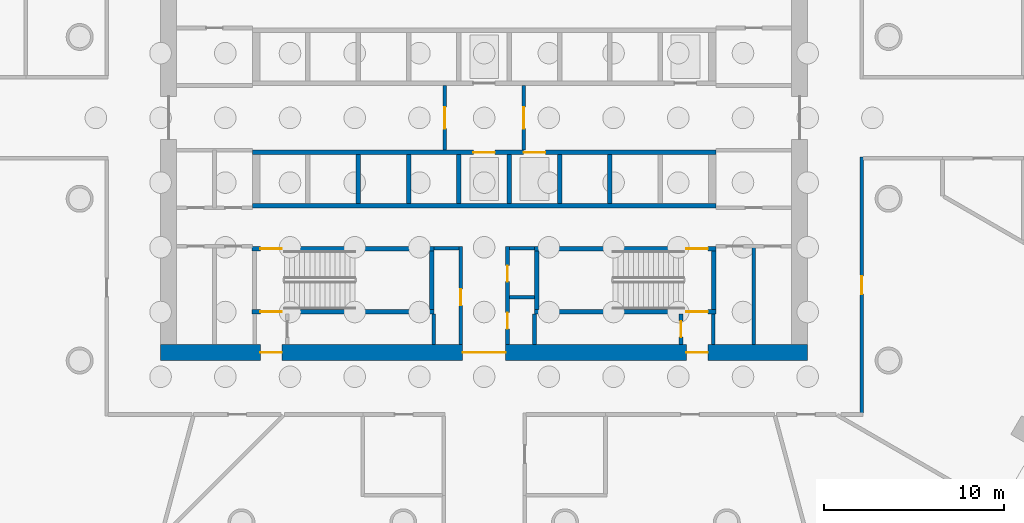
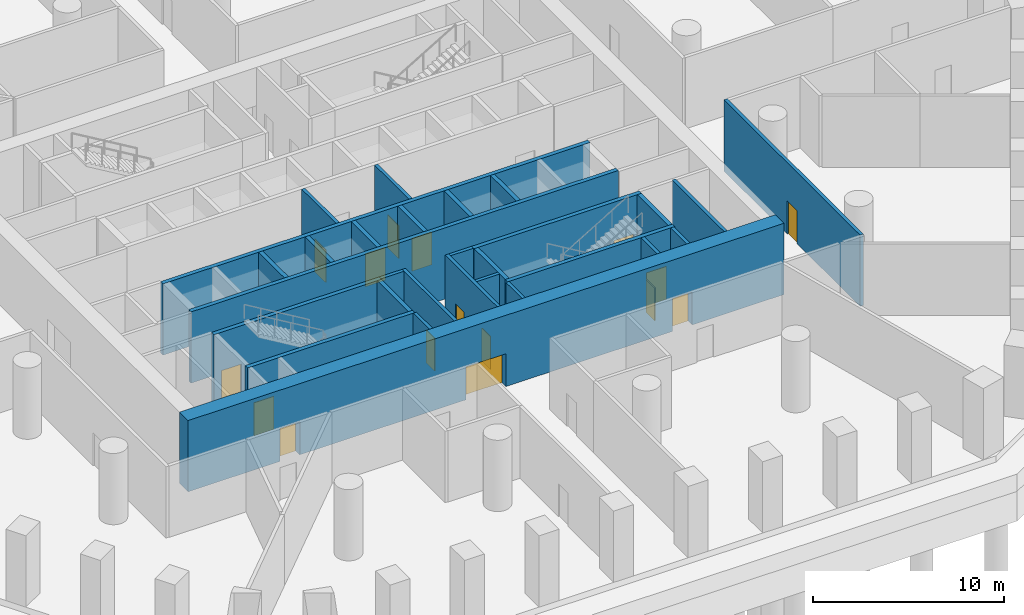
# One storey, part 4 of 9: 29 walls, 16 doors, 16 openings.
"""IFC4 building model written with IfcOpenShell, lengths in metres."""

from ifc_helpers import new_model, si_unit, direction, frame, frame_2d, origin, place, context, subcontext, project, spatial, polyline, rectangle, outline, extrude, material, layer, layer_set, type_object, element, fill, save


model = new_model("IFC4")

# Units and contexts
model_context = context("Model", 3, precision=1e-05, world=origin(), true_north=direction((0.0, 1.0)))
body_context = subcontext(model_context, "Body", "Model", "MODEL_VIEW")
ifc_project = project(units=[si_unit("LENGTHUNIT", "METRE"), si_unit("AREAUNIT", "SQUARE_METRE"), si_unit("VOLUMEUNIT", "CUBIC_METRE"), si_unit("PLANEANGLEUNIT", "RADIAN"), si_unit("MASSUNIT", "GRAM", prefix="KILO")], contexts=[model_context])

# Site, building, storey
site_placement = place(None, origin())
site = spatial("IfcSite", under=ifc_project, at=site_placement, CompositionType="ELEMENT")
building_placement = place(site_placement, origin())
building = spatial("IfcBuilding", under=site, at=building_placement, Name="Dhurran Vertical Campus", CompositionType="ELEMENT")
storey_placement = place(building_placement, frame((0.0, 0.0, -5.0)))
storey = spatial("IfcBuildingStorey", under=building, at=storey_placement, Name="B1", CompositionType="ELEMENT", Elevation=-5.0)

# Wall, opening, door
ifc_material_1 = material(Name="Concrete blockwork plant room wall, fire-rated", Category="masonry")
ifc_layer_1 = layer(ifc_material_1, 0.199951171875)
ifc_layer_set_1 = layer_set([ifc_layer_1], Name="Concrete blockwork plant room wall, fire-rated")
wall_type_1 = type_object("IfcWallType", Name="bs-PW-200 plant room wall", PredefinedType="PARTITIONING", material=ifc_layer_set_1)
wall_1_placement = place(storey_placement, frame((21.0, -16.425048828125, 0.0), z_axis=(0.0, 0.0, 1.0), x_axis=(0.0, 1.0, 0.0)))
wall_1 = element("IfcWall", 1, at=wall_1_placement, inside=storey, type_object=wall_type_1, Name="Plant wall B1-43", PredefinedType="PARTITIONING", context=body_context, shape_type="SweptSolid", body=[
    extrude(rectangle(XDim=14.25, YDim=0.199951171875, at=frame_2d((7.125, 0.0))), origin(), (0.0, 0.0, 1.0), 4.550048828125),
])
opening_1_placement = place(wall_1_placement, frame((6.625, 0.0, 0.0)))
opening_1 = element("IfcOpeningElement", 2, at=opening_1_placement, cuts=wall_1, Name="Opening BS.16", PredefinedType="OPENING", context=body_context, shape_type="SweptSolid", body=[
    extrude(rectangle(XDim=1.0, YDim=2.10009765625, at=frame_2d((0.5, 1.050048828125))), frame((0.0, 0.10986328125, 0.0), z_axis=(0.0, -1.0, 0.0), x_axis=(1.0, 0.0, 0.0)), (0.0, 0.0, 1.0), 0.219970703125),
])
ifc_material_2 = material(Name="Solid-core timber door set, fire-rated", Category="wood")
door_type_1 = type_object("IfcDoorType", Name="fl-D-1000x2100", OperationType="SINGLE_SWING_LEFT", PredefinedType="DOOR", material=ifc_material_2)
door_1_placement = place(opening_1_placement, origin())
door_1 = element("IfcDoor", 3, at=door_1_placement, inside=storey, type_object=door_type_1, Name="Door B1.16", OperationType="SINGLE_SWING_RIGHT", OverallHeight=2.10009765625, OverallWidth=1.0, PredefinedType="DOOR", context=body_context, shape_type="SweptSolid", body=[
    extrude(rectangle(XDim=1.0, YDim=2.10009765625, at=frame_2d((0.5, 1.050048828125))), frame((0.0, 0.02490234375, 0.0), z_axis=(0.0, -1.0, 0.0), x_axis=(1.0, 0.0, 0.0)), (0.0, 0.0, 1.0), 0.050048828125),
])
fill(opening_1, door_1)

# Wall, openings, doors
ifc_material_3 = material(Name="Concrete C60/75", Category="concrete")
ifc_layer_2 = layer(ifc_material_3, 0.89990234375)
ifc_layer_set_2 = layer_set([ifc_layer_2], Name="Concrete C60/75")
wall_type_2 = type_object("IfcWallType", Name="co-CORE-WALL-C0-900", PredefinedType="SHEAR", material=ifc_layer_set_2)
wall_2_placement = place(storey_placement, frame((-18.0, -13.050048828125, 0.0), z_axis=(0.0, 0.0, 1.0), x_axis=(1.0, 0.0, 0.0)))
wall_2 = element("IfcWall", 4, at=wall_2_placement, inside=storey, type_object=wall_type_2, Name="Core wall S B1", PredefinedType="SHEAR", context=body_context, shape_type="SweptSolid", body=[
    extrude(rectangle(XDim=36.0, YDim=0.89990234375, at=frame_2d((18.0, 0.0))), origin(), (0.0, 0.0, 1.0), 4.550048828125),
])
opening_2_placement = place(wall_2_placement, frame((16.800048828125, 0.0, 0.0)))
opening_2 = element("IfcOpeningElement", 5, at=opening_2_placement, cuts=wall_2, Name="Opening CV2", PredefinedType="OPENING", context=body_context, shape_type="SweptSolid", body=[
    extrude(rectangle(XDim=2.39990234375, YDim=2.10009765625, at=frame_2d((1.199951171875, 1.050048828125))), frame((0.0, 0.4599609375, 0.0), z_axis=(0.0, -1.0, 0.0), x_axis=(1.0, 0.0, 0.0)), (0.0, 0.0, 1.0), 0.919921875),
])
opening_3_placement = place(wall_2_placement, frame((5.550048828125, 0.0, 0.0)))
opening_3 = element("IfcOpeningElement", 6, at=opening_3_placement, cuts=wall_2, Name="Opening XD3", PredefinedType="OPENING", context=body_context, shape_type="SweptSolid", body=[
    extrude(rectangle(XDim=1.199951171875, YDim=2.10009765625, at=frame_2d((0.60009765625, 1.050048828125))), frame((0.0, 0.4599609375, 0.0), z_axis=(0.0, -1.0, 0.0), x_axis=(1.0, 0.0, 0.0)), (0.0, 0.0, 1.0), 0.919921875),
])
opening_4_placement = place(wall_2_placement, frame((29.25, 0.0, 0.0)))
opening_4 = element("IfcOpeningElement", 7, at=opening_4_placement, cuts=wall_2, Name="Opening XD4", PredefinedType="OPENING", context=body_context, shape_type="SweptSolid", body=[
    extrude(rectangle(XDim=1.199951171875, YDim=2.10009765625, at=frame_2d((0.60009765625, 1.050048828125))), frame((0.0, 0.4599609375, 0.0), z_axis=(0.0, -1.0, 0.0), x_axis=(1.0, 0.0, 0.0)), (0.0, 0.0, 1.0), 0.919921875),
])
ifc_material_4 = material(Name="Fire-rated glazed door set")
door_type_2 = type_object("IfcDoorType", Name="co-D-LOBBY 2400x2100", OperationType="DOUBLE_DOOR_DOUBLE_SWING", PredefinedType="DOOR", material=ifc_material_4)
door_2_placement = place(opening_2_placement, origin())
door_2 = element("IfcDoor", 8, at=door_2_placement, inside=storey, type_object=door_type_2, Name="Core vestibule door S B1", OperationType="DOUBLE_DOOR_DOUBLE_SWING", OverallHeight=2.10009765625, OverallWidth=2.39990234375, PredefinedType="DOOR", context=body_context, shape_type="SweptSolid", body=[
    extrude(rectangle(XDim=2.39990234375, YDim=2.10009765625, at=frame_2d((1.199951171875, 1.050048828125))), frame((0.0, 0.02490234375, 0.0), z_axis=(0.0, -1.0, 0.0), x_axis=(1.0, 0.0, 0.0)), (0.0, 0.0, 1.0), 0.050048828125),
])
fill(opening_2, door_2)
ifc_material_5 = material(Name="Fire-rated steel door set", Category="steel")
door_type_3 = type_object("IfcDoorType", Name="co-D-STAIR-EXIT 1200x2100", OperationType="SINGLE_SWING_RIGHT", PredefinedType="DOOR", material=ifc_material_5)
door_3_placement = place(opening_3_placement, origin())
door_3 = element("IfcDoor", 9, at=door_3_placement, inside=storey, type_object=door_type_3, Name="Stair ST3 exit door B1", OperationType="SINGLE_SWING_RIGHT", OverallHeight=2.10009765625, OverallWidth=1.199951171875, PredefinedType="DOOR", context=body_context, shape_type="SweptSolid", body=[
    extrude(rectangle(XDim=1.199951171875, YDim=2.10009765625, at=frame_2d((0.60009765625, 1.050048828125))), frame((0.0, 0.02490234375, 0.0), z_axis=(0.0, -1.0, 0.0), x_axis=(1.0, 0.0, 0.0)), (0.0, 0.0, 1.0), 0.050048828125),
])
fill(opening_3, door_3)
door_4_placement = place(opening_4_placement, origin())
door_4 = element("IfcDoor", 10, at=door_4_placement, inside=storey, type_object=door_type_3, Name="Stair ST4 exit door B1", OperationType="SINGLE_SWING_RIGHT", OverallHeight=2.10009765625, OverallWidth=1.199951171875, PredefinedType="DOOR", context=body_context, shape_type="SweptSolid", body=[
    extrude(rectangle(XDim=1.199951171875, YDim=2.10009765625, at=frame_2d((0.60009765625, 1.050048828125))), frame((0.0, 0.02490234375, 0.0), z_axis=(0.0, -1.0, 0.0), x_axis=(1.0, 0.0, 0.0)), (0.0, 0.0, 1.0), 0.050048828125),
])
fill(opening_4, door_4)

# Wall, opening, door
ifc_material_6 = material(Name="Fire-rated masonry blockwork", Category="masonry")
ifc_layer_3 = layer(ifc_material_6, 0.199951171875)
ifc_layer_set_3 = layer_set([ifc_layer_3], Name="Fire-rated masonry blockwork")
wall_type_3 = type_object("IfcWallType", Name="co-FIRE-PARTITION-200", PredefinedType="PARTITIONING", material=ifc_layer_set_3)
wall_3_placement = place(storey_placement, frame((-2.199951171875, -1.800048828125, 0.0), z_axis=(0.0, 0.0, 1.0), x_axis=(0.0, 1.0, 0.0)))
wall_3 = element("IfcWall", 11, at=wall_3_placement, inside=storey, type_object=wall_type_3, Name="Firefighting lobby wall W B1", PredefinedType="PARTITIONING", context=body_context, shape_type="SweptSolid", body=[
    extrude(rectangle(XDim=3.60009765625, YDim=0.199951171875, at=frame_2d((1.800048828125, 0.0))), origin(), (0.0, 0.0, 1.0), 4.550048828125),
])
opening_5_placement = place(wall_3_placement, frame((1.199951171875, 0.0, 0.0)))
opening_5 = element("IfcOpeningElement", 12, at=opening_5_placement, cuts=wall_3, Name="Opening FL1", PredefinedType="OPENING", context=body_context, shape_type="SweptSolid", body=[
    extrude(rectangle(XDim=1.199951171875, YDim=2.10009765625, at=frame_2d((0.60009765625, 1.050048828125))), frame((0.0, 0.10986328125, 0.0), z_axis=(0.0, -1.0, 0.0), x_axis=(1.0, 0.0, 0.0)), (0.0, 0.0, 1.0), 0.219970703125),
])
ifc_material_7 = material(Name="Fire-rated steel door set", Category="steel")
door_type_4 = type_object("IfcDoorType", Name="co-D-FFLOBBY 1200x2100", OperationType="SINGLE_SWING_LEFT", PredefinedType="DOOR", material=ifc_material_7)
door_5_placement = place(opening_5_placement, origin())
door_5 = element("IfcDoor", 13, at=door_5_placement, inside=storey, type_object=door_type_4, Name="Firefighting lobby door W B1", OperationType="SINGLE_SWING_LEFT", OverallHeight=2.10009765625, OverallWidth=1.199951171875, PredefinedType="DOOR", context=body_context, shape_type="SweptSolid", body=[
    extrude(rectangle(XDim=1.199951171875, YDim=2.10009765625, at=frame_2d((0.60009765625, 1.050048828125))), frame((0.0, 0.02490234375, 0.0), z_axis=(0.0, -1.0, 0.0), x_axis=(1.0, 0.0, 0.0)), (0.0, 0.0, 1.0), 0.050048828125),
])
fill(opening_5, door_5)

wall_4_placement = place(storey_placement, frame((2.199951171875, -1.800048828125, 0.0), z_axis=(0.0, 0.0, 1.0), x_axis=(0.0, 1.0, 0.0)))
wall_4 = element("IfcWall", 14, at=wall_4_placement, inside=storey, type_object=wall_type_3, Name="Firefighting lobby wall E B1", PredefinedType="PARTITIONING", context=body_context, shape_type="SweptSolid", body=[
    extrude(rectangle(XDim=3.60009765625, YDim=0.199951171875, at=frame_2d((1.800048828125, 0.0))), origin(), (0.0, 0.0, 1.0), 4.550048828125),
])
opening_6_placement = place(wall_4_placement, frame((1.199951171875, 0.0, 0.0)))
opening_6 = element("IfcOpeningElement", 15, at=opening_6_placement, cuts=wall_4, Name="Opening FL2", PredefinedType="OPENING", context=body_context, shape_type="SweptSolid", body=[
    extrude(rectangle(XDim=1.199951171875, YDim=2.10009765625, at=frame_2d((0.60009765625, 1.050048828125))), frame((0.0, 0.10986328125, 0.0), z_axis=(0.0, -1.0, 0.0), x_axis=(1.0, 0.0, 0.0)), (0.0, 0.0, 1.0), 0.219970703125),
])
door_6_placement = place(opening_6_placement, origin())
door_6 = element("IfcDoor", 16, at=door_6_placement, inside=storey, type_object=door_type_4, Name="Firefighting lobby door E B1", OperationType="SINGLE_SWING_LEFT", OverallHeight=2.10009765625, OverallWidth=1.199951171875, PredefinedType="DOOR", context=body_context, shape_type="SweptSolid", body=[
    extrude(rectangle(XDim=1.199951171875, YDim=2.10009765625, at=frame_2d((0.60009765625, 1.050048828125))), frame((0.0, 0.02490234375, 0.0), z_axis=(0.0, -1.0, 0.0), x_axis=(1.0, 0.0, 0.0)), (0.0, 0.0, 1.0), 0.050048828125),
])
fill(opening_6, door_6)

# Walls
for number, where, z_axis, x_axis, name in (
    (17, (-2.800048828125, -7.25, 0.0), (0.0, 0.0, 1.0), (1.0, 0.0, 0.0), "Core partition sl-SW-S B1"),
    (18, (1.39990234375, -7.25, 0.0), (0.0, 0.0, 1.0), (1.0, 0.0, 0.0), "Core partition sl-SE-S B1"),
    (19, (1.39990234375, -9.97509765625, 0.0), (0.0, 0.0, 1.0), (1.0, 0.0, 0.0), "Core partition sl-SE-cut0 B1"),
):
    element("IfcWall", number, at=place(storey_placement, frame(where, z_axis=z_axis, x_axis=x_axis)), inside=storey, type_object=wall_type_3, Name=name, PredefinedType="PARTITIONING", context=body_context, shape_type="SweptSolid", body=[
        extrude(rectangle(XDim=1.400146484375, YDim=0.199951171875, at=frame_2d((0.7001953125, 0.0))), origin(), (0.0, 0.0, 1.0), 4.550048828125),
    ])

# Wall, opening, door
wall_5_placement = place(storey_placement, frame((-1.300048828125, -12.60009765625, 0.0), z_axis=(0.0, 0.0, 1.0), x_axis=(0.0, 1.0, 0.0)))
wall_5 = element("IfcWall", 20, at=wall_5_placement, inside=storey, type_object=wall_type_3, Name="Core partition vest-SW B1", PredefinedType="PARTITIONING", context=body_context, shape_type="SweptSolid", body=[
    extrude(rectangle(XDim=5.4501953125, YDim=0.199951171875, at=frame_2d((2.72509765625, 0.0))), origin(), (0.0, 0.0, 1.0), 4.550048828125),
])
opening_7_placement = place(wall_5_placement, frame((2.175048828125, 0.0, 0.0)))
opening_7 = element("IfcOpeningElement", 21, at=opening_7_placement, cuts=wall_5, Name="Opening BSMT-C1", PredefinedType="OPENING", context=body_context, shape_type="SweptSolid", body=[
    extrude(rectangle(XDim=0.89990234375, YDim=2.10009765625, at=frame_2d((0.449951171875, 1.050048828125))), frame((0.0, 0.10986328125, 0.0), z_axis=(0.0, -1.0, 0.0), x_axis=(1.0, 0.0, 0.0)), (0.0, 0.0, 1.0), 0.219970703125),
])
ifc_material_8 = material(Name="Fire-rated timber door set", Category="wood")
door_type_5 = type_object("IfcDoorType", Name="co-D-ROOM 900x2100", OperationType="SINGLE_SWING_LEFT", PredefinedType="DOOR", material=ifc_material_8)
door_7_placement = place(opening_7_placement, origin())
door_7 = element("IfcDoor", 22, at=door_7_placement, inside=storey, type_object=door_type_5, Name="Communications room door B1", OperationType="SINGLE_SWING_LEFT", OverallHeight=2.10009765625, OverallWidth=0.89990234375, PredefinedType="DOOR", context=body_context, shape_type="SweptSolid", body=[
    extrude(rectangle(XDim=0.89990234375, YDim=2.10009765625, at=frame_2d((0.449951171875, 1.050048828125))), frame((0.0, 0.02490234375, 0.0), z_axis=(0.0, -1.0, 0.0), x_axis=(1.0, 0.0, 0.0)), (0.0, 0.0, 1.0), 0.050048828125),
])
fill(opening_7, door_7)

# Wall, openings, doors
wall_6_placement = place(storey_placement, frame((1.300048828125, -12.60009765625, 0.0), z_axis=(0.0, 0.0, 1.0), x_axis=(0.0, 1.0, 0.0)))
wall_6 = element("IfcWall", 23, at=wall_6_placement, inside=storey, type_object=wall_type_3, Name="Core partition vest-SE B1", PredefinedType="PARTITIONING", context=body_context, shape_type="SweptSolid", body=[
    extrude(rectangle(XDim=5.4501953125, YDim=0.199951171875, at=frame_2d((2.72509765625, 0.0))), origin(), (0.0, 0.0, 1.0), 4.550048828125),
])
opening_8_placement = place(wall_6_placement, frame((0.862548828125, 0.0, 0.0)))
opening_8 = element("IfcOpeningElement", 24, at=opening_8_placement, cuts=wall_6, Name="Opening BSMT-C2", PredefinedType="OPENING", context=body_context, shape_type="SweptSolid", body=[
    extrude(rectangle(XDim=0.89990234375, YDim=2.10009765625, at=frame_2d((0.449951171875, 1.050048828125))), frame((0.0, 0.10986328125, 0.0), z_axis=(0.0, -1.0, 0.0), x_axis=(1.0, 0.0, 0.0)), (0.0, 0.0, 1.0), 0.219970703125),
])
opening_9_placement = place(wall_6_placement, frame((3.487548828125, 0.0, 0.0)))
opening_9 = element("IfcOpeningElement", 25, at=opening_9_placement, cuts=wall_6, Name="Opening BSMT-C3", PredefinedType="OPENING", context=body_context, shape_type="SweptSolid", body=[
    extrude(rectangle(XDim=0.89990234375, YDim=2.10009765625, at=frame_2d((0.449951171875, 1.050048828125))), frame((0.0, 0.10986328125, 0.0), z_axis=(0.0, -1.0, 0.0), x_axis=(1.0, 0.0, 0.0)), (0.0, 0.0, 1.0), 0.219970703125),
])
door_8_placement = place(opening_8_placement, origin())
door_8 = element("IfcDoor", 26, at=door_8_placement, inside=storey, type_object=door_type_5, Name="Water riser door B1", OperationType="SINGLE_SWING_LEFT", OverallHeight=2.10009765625, OverallWidth=0.89990234375, PredefinedType="DOOR", context=body_context, shape_type="SweptSolid", body=[
    extrude(rectangle(XDim=0.89990234375, YDim=2.10009765625, at=frame_2d((0.449951171875, 1.050048828125))), frame((0.0, 0.02490234375, 0.0), z_axis=(0.0, -1.0, 0.0), x_axis=(1.0, 0.0, 0.0)), (0.0, 0.0, 1.0), 0.050048828125),
])
fill(opening_8, door_8)
door_9_placement = place(opening_9_placement, origin())
door_9 = element("IfcDoor", 27, at=door_9_placement, inside=storey, type_object=door_type_5, Name="Plant room door B1", OperationType="SINGLE_SWING_LEFT", OverallHeight=2.10009765625, OverallWidth=0.89990234375, PredefinedType="DOOR", context=body_context, shape_type="SweptSolid", body=[
    extrude(rectangle(XDim=0.89990234375, YDim=2.10009765625, at=frame_2d((0.449951171875, 1.050048828125))), frame((0.0, 0.02490234375, 0.0), z_axis=(0.0, -1.0, 0.0), x_axis=(1.0, 0.0, 0.0)), (0.0, 0.0, 1.0), 0.050048828125),
])
fill(opening_9, door_9)

# Wall
wall_7_placement = place(storey_placement, frame((12.75, -12.60009765625, 0.0), z_axis=(0.0, 0.0, 1.0), x_axis=(0.0, 1.0, 0.0)))
element("IfcWall", 28, at=wall_7_placement, inside=storey, type_object=wall_type_3, Name="Core partition pass-ST4-o B1", PredefinedType="PARTITIONING", context=body_context, shape_type="SweptSolid", body=[
    extrude(rectangle(XDim=1.7001953125, YDim=0.199951171875, at=frame_2d((0.85009765625, 0.0))), origin(), (0.0, 0.0, 1.0), 4.550048828125),
])

# Wall, opening, door
wall_8_placement = place(storey_placement, frame((10.949951171875, -12.60009765625, 0.0), z_axis=(0.0, 0.0, 1.0), x_axis=(0.0, 1.0, 0.0)))
wall_8 = element("IfcWall", 29, at=wall_8_placement, inside=storey, type_object=wall_type_3, Name="Core partition pass-ST4-i B1", PredefinedType="PARTITIONING", context=body_context, shape_type="SweptSolid", body=[
    extrude(rectangle(XDim=1.7001953125, YDim=0.199951171875, at=frame_2d((0.85009765625, 0.0))), origin(), (0.0, 0.0, 1.0), 4.550048828125),
])
opening_10_placement = place(wall_8_placement, frame((0.39990234375, 0.0, 0.0)))
opening_10 = element("IfcOpeningElement", 30, at=opening_10_placement, cuts=wall_8, Name="Opening BSMT-C10", PredefinedType="OPENING", context=body_context, shape_type="SweptSolid", body=[
    extrude(rectangle(XDim=0.89990234375, YDim=2.10009765625, at=frame_2d((0.449951171875, 1.050048828125))), frame((0.0, 0.10986328125, 0.0), z_axis=(0.0, -1.0, 0.0), x_axis=(1.0, 0.0, 0.0)), (0.0, 0.0, 1.0), 0.219970703125),
])
door_10_placement = place(opening_10_placement, origin())
door_10 = element("IfcDoor", 31, at=door_10_placement, inside=storey, type_object=door_type_5, Name="Riser room door B1", OperationType="SINGLE_SWING_LEFT", OverallHeight=2.10009765625, OverallWidth=0.89990234375, PredefinedType="DOOR", context=body_context, shape_type="SweptSolid", body=[
    extrude(rectangle(XDim=0.89990234375, YDim=2.10009765625, at=frame_2d((0.449951171875, 1.050048828125))), frame((0.0, 0.02490234375, 0.0), z_axis=(0.0, -1.0, 0.0), x_axis=(1.0, 0.0, 0.0)), (0.0, 0.0, 1.0), 0.050048828125),
])
fill(opening_10, door_10)

# Walls
wall_9_placement = place(storey_placement, frame((15.0, -12.60009765625, 0.0), z_axis=(0.0, 0.0, 1.0), x_axis=(0.0, 1.0, 0.0)))
element("IfcWall", 32, at=wall_9_placement, inside=storey, type_object=wall_type_3, Name="Core partition en-SE-cut0 B1", PredefinedType="PARTITIONING", context=body_context, shape_type="SweptSolid", body=[
    extrude(rectangle(XDim=5.4501953125, YDim=0.199951171875, at=frame_2d((2.72509765625, 0.0))), origin(), (0.0, 0.0, 1.0), 4.550048828125),
])
for number, where, z_axis, x_axis, name in (
    (33, (-2.800048828125, -12.59912109375, 0.0), (0.0, 0.0, 1.0), (0.0, 1.0, 0.0), "Riser enclosure wall B1"),
    (34, (2.800048828125, -12.59912109375, 0.0), (0.0, 0.0, 1.0), (0.0, 1.0, 0.0), "Riser enclosure wall B1"),
):
    element("IfcWall", number, at=place(storey_placement, frame(where, z_axis=z_axis, x_axis=x_axis)), inside=storey, type_object=wall_type_3, Name=name, PredefinedType="PARTITIONING", context=body_context, shape_type="SweptSolid", body=[
        extrude(rectangle(XDim=1.6982421875, YDim=0.199951171875, at=frame_2d((0.84912109375, 0.0))), origin(), (0.0, 0.0, 1.0), 4.550048828125),
    ])

# Wall, openings, doors
ifc_material_9 = material(Name="Concrete C50/60", Category="concrete")
ifc_layer_4 = layer(ifc_material_9, 0.25)
ifc_layer_set_4 = layer_set([ifc_layer_4], Name="Concrete C50/60")
wall_type_4 = type_object("IfcWallType", Name="co-SHAFT-FRONT-250", PredefinedType="SHEAR", material=ifc_layer_set_4)
wall_10_placement = place(storey_placement, frame((-12.89990234375, -1.925048828125, 0.0), z_axis=(0.0, 0.0, 1.0), x_axis=(1.0, 0.0, 0.0)))
wall_10 = element("IfcWall", 35, at=wall_10_placement, inside=storey, type_object=wall_type_4, Name="Lift landing wall S B1", PredefinedType="SHEAR", context=body_context, shape_type="SweptSolid", body=[
    extrude(rectangle(XDim=25.7998046875, YDim=0.25, at=frame_2d((12.89990234375, 0.0))), origin(), (0.0, 0.0, 1.0), 4.550048828125),
])
opening_11_placement = place(wall_10_placement, frame((12.300048828125, 0.0, 0.0)))
opening_11 = element("IfcOpeningElement", 36, at=opening_11_placement, cuts=wall_10, Name="Opening LD", PredefinedType="OPENING", context=body_context, shape_type="SweptSolid", body=[
    extrude(rectangle(XDim=1.199951171875, YDim=2.10009765625, at=frame_2d((0.60009765625, 1.050048828125))), frame((0.0, 0.135009765625, 0.0), z_axis=(0.0, -1.0, 0.0), x_axis=(1.0, 0.0, 0.0)), (0.0, 0.0, 1.0), 0.27001953125),
])
opening_12_placement = place(wall_10_placement, frame((15.10009765625, 0.0, 0.0)))
opening_12 = element("IfcOpeningElement", 37, at=opening_12_placement, cuts=wall_10, Name="Opening LD", PredefinedType="OPENING", context=body_context, shape_type="SweptSolid", body=[
    extrude(rectangle(XDim=1.199951171875, YDim=2.10009765625, at=frame_2d((0.60009765625, 1.050048828125))), frame((0.0, 0.135009765625, 0.0), z_axis=(0.0, -1.0, 0.0), x_axis=(1.0, 0.0, 0.0)), (0.0, 0.0, 1.0), 0.27001953125),
])
ifc_material_10 = material(Name="Stainless steel landing door", Category="steel")
door_type_6 = type_object("IfcDoorType", Name="co-D-LANDING 1200x2100", OperationType="DOUBLE_DOOR_SLIDING", PredefinedType="DOOR", material=ifc_material_10)
door_11_placement = place(opening_11_placement, origin())
door_11 = element("IfcDoor", 38, at=door_11_placement, inside=storey, type_object=door_type_6, Name="Landing door FF2 B1", OperationType="DOUBLE_DOOR_SLIDING", OverallHeight=2.10009765625, OverallWidth=1.199951171875, PredefinedType="DOOR", context=body_context, shape_type="SweptSolid", body=[
    extrude(rectangle(XDim=1.199951171875, YDim=2.10009765625, at=frame_2d((0.60009765625, 1.050048828125))), frame((0.0, 0.02490234375, 0.0), z_axis=(0.0, -1.0, 0.0), x_axis=(1.0, 0.0, 0.0)), (0.0, 0.0, 1.0), 0.050048828125),
])
fill(opening_11, door_11)
door_12_placement = place(opening_12_placement, origin())
door_12 = element("IfcDoor", 39, at=door_12_placement, inside=storey, type_object=door_type_6, Name="Landing door SV1 B1", OperationType="DOUBLE_DOOR_SLIDING", OverallHeight=2.10009765625, OverallWidth=1.199951171875, PredefinedType="DOOR", context=body_context, shape_type="SweptSolid", body=[
    extrude(rectangle(XDim=1.199951171875, YDim=2.10009765625, at=frame_2d((0.60009765625, 1.050048828125))), frame((0.0, 0.02490234375, 0.0), z_axis=(0.0, -1.0, 0.0), x_axis=(1.0, 0.0, 0.0)), (0.0, 0.0, 1.0), 0.050048828125),
])
fill(opening_12, door_12)

# Walls
ifc_material_11 = material(Name="Concrete C50/60", Category="concrete")
ifc_layer_5 = layer(ifc_material_11, 0.25)
ifc_layer_set_5 = layer_set([ifc_layer_5], Name="Concrete C50/60")
wall_type_5 = type_object("IfcWallType", Name="co-SHAFT-MASS-250", PredefinedType="SHEAR", material=ifc_layer_set_5)
wall_11_placement = place(storey_placement, origin())
element("IfcWall", 40, at=wall_11_placement, inside=storey, type_object=wall_type_5, Name="Lift shaft wall S B1 1", PredefinedType="SHEAR", context=body_context, shape_type="SweptSolid", body=[
    extrude(outline(polyline([(-12.89990234375, -5.0), (12.89990234375, -5.0), (12.89990234375, -4.75), (-12.89990234375, -4.75), (-12.89990234375, -5.0)])), origin(), (0.0, 0.0, 1.0), 4.550048828125),
])
wall_12_placement = place(storey_placement, origin())
element("IfcWall", 41, at=wall_12_placement, inside=storey, type_object=wall_type_5, Name="Lift shaft wall S B1 4", PredefinedType="SHEAR", context=body_context, shape_type="SweptSolid", body=[
    extrude(outline(polyline([(-7.125, -4.75), (-6.875, -4.75), (-6.875, -2.050048828125), (-7.125, -2.050048828125), (-7.125, -4.75)])), origin(), (0.0, 0.0, 1.0), 4.550048828125),
])
wall_13_placement = place(storey_placement, origin())
element("IfcWall", 42, at=wall_13_placement, inside=storey, type_object=wall_type_5, Name="Lift shaft wall S B1 5", PredefinedType="SHEAR", context=body_context, shape_type="SweptSolid", body=[
    extrude(outline(polyline([(-4.324951171875, -4.75), (-4.074951171875, -4.75), (-4.074951171875, -2.050048828125), (-4.324951171875, -2.050048828125), (-4.324951171875, -4.75)])), origin(), (0.0, 0.0, 1.0), 4.550048828125),
])
wall_14_placement = place(storey_placement, origin())
element("IfcWall", 43, at=wall_14_placement, inside=storey, type_object=wall_type_5, Name="Lift shaft wall S B1 6", PredefinedType="SHEAR", context=body_context, shape_type="SweptSolid", body=[
    extrude(outline(polyline([(-1.52490234375, -4.75), (-1.27490234375, -4.75), (-1.27490234375, -2.050048828125), (-1.52490234375, -2.050048828125), (-1.52490234375, -4.75)])), origin(), (0.0, 0.0, 1.0), 4.550048828125),
])
wall_15_placement = place(storey_placement, origin())
element("IfcWall", 44, at=wall_15_placement, inside=storey, type_object=wall_type_5, Name="Lift shaft wall S B1 7", PredefinedType="SHEAR", context=body_context, shape_type="SweptSolid", body=[
    extrude(outline(polyline([(1.27490234375, -4.75), (1.52490234375, -4.75), (1.52490234375, -2.050048828125), (1.27490234375, -2.050048828125), (1.27490234375, -4.75)])), origin(), (0.0, 0.0, 1.0), 4.550048828125),
])
wall_16_placement = place(storey_placement, origin())
element("IfcWall", 45, at=wall_16_placement, inside=storey, type_object=wall_type_5, Name="Lift shaft wall S B1 8", PredefinedType="SHEAR", context=body_context, shape_type="SweptSolid", body=[
    extrude(outline(polyline([(4.074951171875, -4.75), (4.324951171875, -4.75), (4.324951171875, -2.050048828125), (4.074951171875, -2.050048828125), (4.074951171875, -4.75)])), origin(), (0.0, 0.0, 1.0), 4.550048828125),
])
wall_17_placement = place(storey_placement, origin())
element("IfcWall", 46, at=wall_17_placement, inside=storey, type_object=wall_type_5, Name="Lift shaft wall S B1 9", PredefinedType="SHEAR", context=body_context, shape_type="SweptSolid", body=[
    extrude(outline(polyline([(6.875, -4.75), (7.125, -4.75), (7.125, -2.050048828125), (6.875, -2.050048828125), (6.875, -4.75)])), origin(), (0.0, 0.0, 1.0), 4.550048828125),
])

# Wall, opening, door
ifc_material_12 = material(Name="Concrete C40/50", Category="concrete")
ifc_layer_6 = layer(ifc_material_12, 0.25)
ifc_layer_set_6 = layer_set([ifc_layer_6], Name="Concrete C40/50")
wall_type_6 = type_object("IfcWallType", Name="co-STAIR-WALL-250", PredefinedType="SHEAR", material=ifc_layer_set_6)
wall_18_placement = place(storey_placement, frame((-12.89990234375, -10.77490234375, 0.0), z_axis=(0.0, 0.0, 1.0), x_axis=(1.0, 0.0, 0.0)))
wall_18 = element("IfcWall", 47, at=wall_18_placement, inside=storey, type_object=wall_type_6, Name="Stair ST3 enclosure wall B1", PredefinedType="SHEAR", context=body_context, shape_type="SweptSolid", body=[
    extrude(rectangle(XDim=10.099853515625, YDim=0.25, at=frame_2d((5.0498046875, 0.0))), origin(), (0.0, 0.0, 1.0), 4.550048828125),
])
opening_13_placement = place(wall_18_placement, frame((0.449951171875, 0.0, 0.0)))
opening_13 = element("IfcOpeningElement", 48, at=opening_13_placement, cuts=wall_18, Name="Opening XS3", PredefinedType="OPENING", context=body_context, shape_type="SweptSolid", body=[
    extrude(rectangle(XDim=1.199951171875, YDim=2.10009765625, at=frame_2d((0.60009765625, 1.050048828125))), frame((0.0, 0.135009765625, 0.0), z_axis=(0.0, -1.0, 0.0), x_axis=(1.0, 0.0, 0.0)), (0.0, 0.0, 1.0), 0.27001953125),
])
door_13_placement = place(opening_13_placement, origin())
door_13 = element("IfcDoor", 49, at=door_13_placement, inside=storey, type_object=door_type_3, Name="Stair ST3 discharge door B1", OperationType="SINGLE_SWING_RIGHT", OverallHeight=2.10009765625, OverallWidth=1.199951171875, PredefinedType="DOOR", context=body_context, shape_type="SweptSolid", body=[
    extrude(rectangle(XDim=1.199951171875, YDim=2.10009765625, at=frame_2d((0.60009765625, 1.050048828125))), frame((0.0, 0.02490234375, 0.0), z_axis=(0.0, -1.0, 0.0), x_axis=(1.0, 0.0, 0.0)), (0.0, 0.0, 1.0), 0.050048828125),
])
fill(opening_13, door_13)

wall_19_placement = place(storey_placement, frame((-12.89990234375, -7.27490234375, 0.0), z_axis=(0.0, 0.0, 1.0), x_axis=(1.0, 0.0, 0.0)))
wall_19 = element("IfcWall", 50, at=wall_19_placement, inside=storey, type_object=wall_type_6, Name="Stair ST3 enclosure wall B1", PredefinedType="SHEAR", context=body_context, shape_type="SweptSolid", body=[
    extrude(rectangle(XDim=10.099853515625, YDim=0.25, at=frame_2d((5.0498046875, 0.0))), origin(), (0.0, 0.0, 1.0), 4.550048828125),
])
opening_14_placement = place(wall_19_placement, frame((0.449951171875, 0.0, 0.0)))
opening_14 = element("IfcOpeningElement", 51, at=opening_14_placement, cuts=wall_19, Name="Opening SD3", PredefinedType="OPENING", context=body_context, shape_type="SweptSolid", body=[
    extrude(rectangle(XDim=1.199951171875, YDim=2.10009765625, at=frame_2d((0.60009765625, 1.050048828125))), frame((0.0, 0.135009765625, 0.0), z_axis=(0.0, -1.0, 0.0), x_axis=(1.0, 0.0, 0.0)), (0.0, 0.0, 1.0), 0.27001953125),
])
ifc_material_13 = material(Name="Fire-rated steel door set", Category="steel")
door_type_7 = type_object("IfcDoorType", Name="co-D-STAIR 1200x2100", OperationType="SINGLE_SWING_LEFT", PredefinedType="DOOR", material=ifc_material_13)
door_14_placement = place(opening_14_placement, origin())
door_14 = element("IfcDoor", 52, at=door_14_placement, inside=storey, type_object=door_type_7, Name="Stair ST3 door B1", OperationType="SINGLE_SWING_LEFT", OverallHeight=2.10009765625, OverallWidth=1.199951171875, PredefinedType="DOOR", context=body_context, shape_type="SweptSolid", body=[
    extrude(rectangle(XDim=1.199951171875, YDim=2.10009765625, at=frame_2d((0.60009765625, 1.050048828125))), frame((0.0, 0.02490234375, 0.0), z_axis=(0.0, -1.0, 0.0), x_axis=(1.0, 0.0, 0.0)), (0.0, 0.0, 1.0), 0.050048828125),
])
fill(opening_14, door_14)

# Wall
wall_20_placement = place(storey_placement, frame((-2.925048828125, -10.64990234375, 0.0), z_axis=(0.0, 0.0, 1.0), x_axis=(0.0, 1.0, 0.0)))
element("IfcWall", 53, at=wall_20_placement, inside=storey, type_object=wall_type_6, Name="Stair ST3 enclosure wall B1", PredefinedType="SHEAR", context=body_context, shape_type="SweptSolid", body=[
    extrude(rectangle(XDim=3.25, YDim=0.25, at=frame_2d((1.625, 0.0))), origin(), (0.0, 0.0, 1.0), 4.550048828125),
])

# Wall, opening, door
wall_21_placement = place(storey_placement, frame((2.800048828125, -10.77490234375, 0.0), z_axis=(0.0, 0.0, 1.0), x_axis=(1.0, 0.0, 0.0)))
wall_21 = element("IfcWall", 54, at=wall_21_placement, inside=storey, type_object=wall_type_6, Name="Stair ST4 enclosure wall B1", PredefinedType="SHEAR", context=body_context, shape_type="SweptSolid", body=[
    extrude(rectangle(XDim=10.099853515625, YDim=0.25, at=frame_2d((5.0498046875, 0.0))), origin(), (0.0, 0.0, 1.0), 4.550048828125),
])
opening_15_placement = place(wall_21_placement, frame((8.449951171875, 0.0, 0.0)))
opening_15 = element("IfcOpeningElement", 55, at=opening_15_placement, cuts=wall_21, Name="Opening XS4", PredefinedType="OPENING", context=body_context, shape_type="SweptSolid", body=[
    extrude(rectangle(XDim=1.199951171875, YDim=2.10009765625, at=frame_2d((0.60009765625, 1.050048828125))), frame((0.0, 0.135009765625, 0.0), z_axis=(0.0, -1.0, 0.0), x_axis=(1.0, 0.0, 0.0)), (0.0, 0.0, 1.0), 0.27001953125),
])
door_15_placement = place(opening_15_placement, origin())
door_15 = element("IfcDoor", 56, at=door_15_placement, inside=storey, type_object=door_type_3, Name="Stair ST4 discharge door B1", OperationType="SINGLE_SWING_RIGHT", OverallHeight=2.10009765625, OverallWidth=1.199951171875, PredefinedType="DOOR", context=body_context, shape_type="SweptSolid", body=[
    extrude(rectangle(XDim=1.199951171875, YDim=2.10009765625, at=frame_2d((0.60009765625, 1.050048828125))), frame((0.0, 0.02490234375, 0.0), z_axis=(0.0, -1.0, 0.0), x_axis=(1.0, 0.0, 0.0)), (0.0, 0.0, 1.0), 0.050048828125),
])
fill(opening_15, door_15)

wall_22_placement = place(storey_placement, frame((2.800048828125, -7.27490234375, 0.0), z_axis=(0.0, 0.0, 1.0), x_axis=(1.0, 0.0, 0.0)))
wall_22 = element("IfcWall", 57, at=wall_22_placement, inside=storey, type_object=wall_type_6, Name="Stair ST4 enclosure wall B1", PredefinedType="SHEAR", context=body_context, shape_type="SweptSolid", body=[
    extrude(rectangle(XDim=10.099853515625, YDim=0.25, at=frame_2d((5.0498046875, 0.0))), origin(), (0.0, 0.0, 1.0), 4.550048828125),
])
opening_16_placement = place(wall_22_placement, frame((8.449951171875, 0.0, 0.0)))
opening_16 = element("IfcOpeningElement", 58, at=opening_16_placement, cuts=wall_22, Name="Opening SD4", PredefinedType="OPENING", context=body_context, shape_type="SweptSolid", body=[
    extrude(rectangle(XDim=1.199951171875, YDim=2.10009765625, at=frame_2d((0.60009765625, 1.050048828125))), frame((0.0, 0.135009765625, 0.0), z_axis=(0.0, -1.0, 0.0), x_axis=(1.0, 0.0, 0.0)), (0.0, 0.0, 1.0), 0.27001953125),
])
door_16_placement = place(opening_16_placement, origin())
door_16 = element("IfcDoor", 59, at=door_16_placement, inside=storey, type_object=door_type_7, Name="Stair ST4 door B1", OperationType="SINGLE_SWING_LEFT", OverallHeight=2.10009765625, OverallWidth=1.199951171875, PredefinedType="DOOR", context=body_context, shape_type="SweptSolid", body=[
    extrude(rectangle(XDim=1.199951171875, YDim=2.10009765625, at=frame_2d((0.60009765625, 1.050048828125))), frame((0.0, 0.02490234375, 0.0), z_axis=(0.0, -1.0, 0.0), x_axis=(1.0, 0.0, 0.0)), (0.0, 0.0, 1.0), 0.050048828125),
])
fill(opening_16, door_16)

# Walls
for number, where, z_axis, x_axis, name in (
    (60, (2.925048828125, -10.64990234375, 0.0), (0.0, 0.0, 1.0), (0.0, 1.0, 0.0), "Stair ST4 enclosure wall B1"),
    (61, (12.77490234375, -10.64990234375, 0.0), (0.0, 0.0, 1.0), (0.0, 1.0, 0.0), "Stair ST4 enclosure wall B1"),
):
    element("IfcWall", number, at=place(storey_placement, frame(where, z_axis=z_axis, x_axis=x_axis)), inside=storey, type_object=wall_type_6, Name=name, PredefinedType="SHEAR", context=body_context, shape_type="SweptSolid", body=[
        extrude(rectangle(XDim=3.25, YDim=0.25, at=frame_2d((1.625, 0.0))), origin(), (0.0, 0.0, 1.0), 4.550048828125),
    ])

save(model, "model.ifc")
